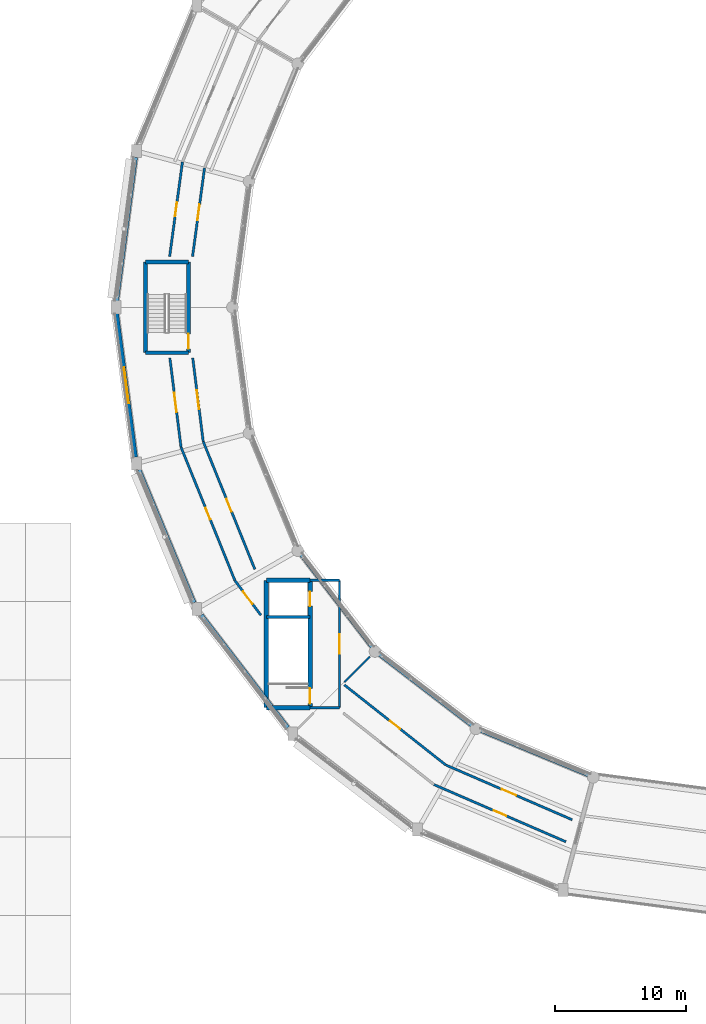
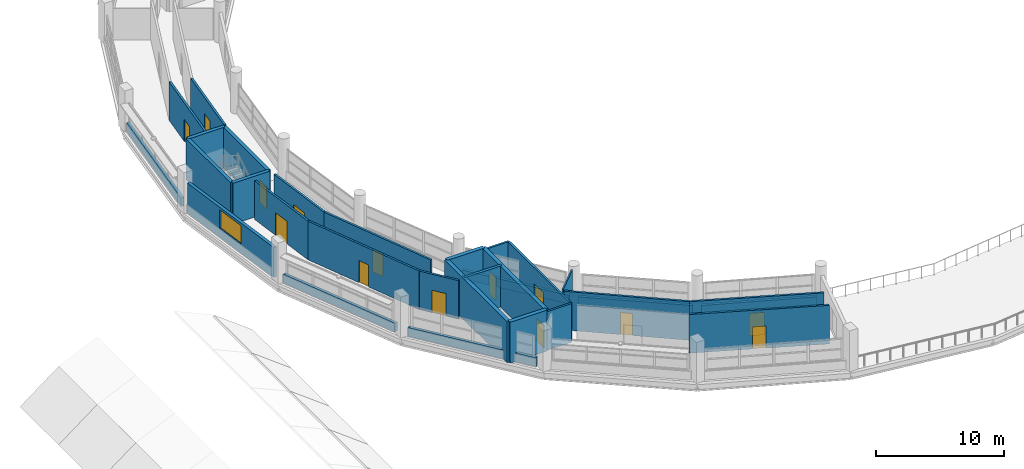
# One storey, part 45 of 53: 30 walls, 14 doors, 1 window, 15 openings.
"""IFC4 building model written with IfcOpenShell, lengths in metres."""

from ifc_helpers import new_model, si_unit, direction, frame, frame_2d, origin, place, context, subcontext, project, spatial, rectangle, extrude, material, layer, layer_set, type_object, element, fill, save


model = new_model("IFC4")

# Units and contexts
model_context = context("Model", 3, precision=1e-05, world=origin(), true_north=direction((0.0, 1.0)))
body_context = subcontext(model_context, "Body", "Model", "MODEL_VIEW")
ifc_project = project(units=[si_unit("LENGTHUNIT", "METRE"), si_unit("AREAUNIT", "SQUARE_METRE"), si_unit("VOLUMEUNIT", "CUBIC_METRE"), si_unit("PLANEANGLEUNIT", "RADIAN"), si_unit("MASSUNIT", "GRAM", prefix="KILO")], contexts=[model_context])

# Site, building, storey
site_placement = place(None, origin())
site = spatial("IfcSite", under=ifc_project, at=site_placement, CompositionType="ELEMENT")
building_placement = place(site_placement, origin())
building = spatial("IfcBuilding", under=site, at=building_placement, Name="Vespera Passage Community Centre", CompositionType="ELEMENT")
storey_placement = place(building_placement, frame((0.0, 0.0, 20.39990234375)))
storey = spatial("IfcBuildingStorey", under=building, at=storey_placement, Name="L05", CompositionType="ELEMENT", Elevation=20.39990234375)

# Wall, opening, door
ifc_material_1 = material(Name="Concrete f'c 45 MPa", Category="concrete")
ifc_layer_1 = layer(ifc_material_1, 0.300048828125)
ifc_layer_set_1 = layer_set([ifc_layer_1], Name="Concrete f'c 45 MPa")
wall_type_1 = type_object("IfcWallType", Name="WT-CORE-300I", PredefinedType="SHEAR", material=ifc_layer_set_1)
wall_1_placement = place(storey_placement, frame((37.449951171875, 68.97509765625, 0.0), z_axis=(0.0, 0.0, 1.0), x_axis=(0.0, -1.0, 0.0)))
wall_1 = element("IfcWall", 1, at=wall_1_placement, inside=storey, type_object=wall_type_1, Name="Core C2 L05 Shear Wall FRONT", PredefinedType="SHEAR", context=body_context, shape_type="SweptSolid", body=[
    extrude(rectangle(XDim=6.9501953125, YDim=0.300048828125, at=frame_2d((3.47509765625, 0.0))), origin(), (0.0, 0.0, 1.0), 3.900146484375),
])
opening_1_placement = place(wall_1_placement, frame((5.5048828125, 0.0, 0.0)))
opening_1 = element("IfcOpeningElement", 2, at=opening_1_placement, cuts=wall_1, Name="Opening DT-STAIR-90", PredefinedType="OPENING", context=body_context, shape_type="SweptSolid", body=[
    extrude(rectangle(XDim=1.14990234375, YDim=2.14990234375, at=frame_2d((0.574951171875, 1.074951171875))), frame((0.0, 0.159912109375, 0.0), z_axis=(0.0, -1.0, 0.0), x_axis=(1.0, 0.0, 0.0)), (0.0, 0.0, 1.0), 0.320068359375),
])
ifc_material_2 = material(Name="Painted hollow-metal acoustic door", Category="steel")
door_type_1 = type_object("IfcDoorType", Name="DT-STAIR-90", OperationType="NOTDEFINED", PredefinedType="DOOR", material=ifc_material_2)
door_1_placement = place(opening_1_placement, origin())
door_1 = element("IfcDoor", 3, at=door_1_placement, inside=storey, type_object=door_type_1, Name="Core C2 L05 Exit Stair Door D-070", OperationType="SINGLE_SWING_RIGHT", OverallHeight=2.14990234375, OverallWidth=1.14990234375, PredefinedType="DOOR", context=body_context, shape_type="SweptSolid", body=[
    extrude(rectangle(XDim=1.14990234375, YDim=2.14990234375, at=frame_2d((0.574951171875, 1.074951171875))), frame((0.0, 0.02490234375, 0.0), z_axis=(0.0, -1.0, 0.0), x_axis=(1.0, 0.0, 0.0)), (0.0, 0.0, 1.0), 0.050048828125),
])
fill(opening_1, door_1)

# Walls
wall_2_placement = place(storey_placement, frame((37.449951171875, 62.02490234375, 0.0), z_axis=(0.0, 0.0, 1.0), x_axis=(-1.0, 0.0, 0.0)))
element("IfcWall", 4, at=wall_2_placement, inside=storey, type_object=wall_type_1, Name="Core C2 L05 Shear Wall LEFT", PredefinedType="SHEAR", context=body_context, shape_type="SweptSolid", body=[
    extrude(rectangle(XDim=3.300048828125, YDim=0.300048828125, at=frame_2d((1.64990234375, 0.0))), origin(), (0.0, 0.0, 1.0), 3.900146484375),
])
wall_3_placement = place(storey_placement, frame((34.14990234375, 62.02490234375, 0.0), z_axis=(0.0, 0.0, 1.0), x_axis=(0.0, 1.0, 0.0)))
element("IfcWall", 5, at=wall_3_placement, inside=storey, type_object=wall_type_1, Name="Core C2 L05 Shear Wall BACK", PredefinedType="SHEAR", context=body_context, shape_type="SweptSolid", body=[
    extrude(rectangle(XDim=6.9501953125, YDim=0.300048828125, at=frame_2d((3.47509765625, 0.0))), origin(), (0.0, 0.0, 1.0), 3.900146484375),
])
wall_4_placement = place(storey_placement, frame((34.14990234375, 68.97509765625, 0.0), z_axis=(0.0, 0.0, 1.0), x_axis=(1.0, 0.0, 0.0)))
element("IfcWall", 6, at=wall_4_placement, inside=storey, type_object=wall_type_1, Name="Core C2 L05 Shear Wall RIGHT", PredefinedType="SHEAR", context=body_context, shape_type="SweptSolid", body=[
    extrude(rectangle(XDim=3.300048828125, YDim=0.300048828125, at=frame_2d((1.64990234375, 0.0))), origin(), (0.0, 0.0, 1.0), 3.900146484375),
])

# Wall, openings, doors
ifc_material_3 = material(Name="Concrete f'c 45 MPa", Category="concrete")
ifc_layer_2 = layer(ifc_material_3, 0.340087890625)
ifc_layer_set_2 = layer_set([ifc_layer_2], Name="Concrete f'c 45 MPa")
wall_type_2 = type_object("IfcWallType", Name="WT-CORE-340I", PredefinedType="SHEAR", material=ifc_layer_set_2)
wall_5_placement = place(storey_placement, frame((46.73095703125, 44.6298828125, 0.0), z_axis=(0.0, 0.0, 1.0), x_axis=(0.0, -1.0, 0.0)))
wall_5 = element("IfcWall", 7, at=wall_5_placement, inside=storey, type_object=wall_type_2, Name="Core C3 L05 Shear Wall FRONT", PredefinedType="SHEAR", context=body_context, shape_type="SweptSolid", body=[
    extrude(rectangle(XDim=9.72998046875, YDim=0.340087890625, at=frame_2d((4.864990234375, 0.0))), origin(), (0.0, 0.0, 1.0), 3.900146484375),
])
opening_2_placement = place(wall_5_placement, frame((8.264892578125, 0.0, 0.0)))
opening_2 = element("IfcOpeningElement", 8, at=opening_2_placement, cuts=wall_5, Name="Opening DT-STAIR-90", PredefinedType="OPENING", context=body_context, shape_type="SweptSolid", body=[
    extrude(rectangle(XDim=1.14990234375, YDim=2.14990234375, at=frame_2d((0.574951171875, 1.074951171875))), frame((0.0, 0.179931640625, 0.0), z_axis=(0.0, -1.0, 0.0), x_axis=(1.0, 0.0, 0.0)), (0.0, 0.0, 1.0), 0.360107421875),
])
opening_3_placement = place(wall_5_placement, frame((0.8701171875, 0.0, 0.0)))
opening_3 = element("IfcOpeningElement", 9, at=opening_3_placement, cuts=wall_5, Name="Opening DT-LIFT-110", PredefinedType="OPENING", context=body_context, shape_type="SweptSolid", body=[
    extrude(rectangle(XDim=1.10009765625, YDim=2.14990234375, at=frame_2d((0.550048828125, 1.074951171875))), frame((0.0, 0.179931640625, 0.0), z_axis=(0.0, -1.0, 0.0), x_axis=(1.0, 0.0, 0.0)), (0.0, 0.0, 1.0), 0.360107421875),
])
ifc_material_4 = material(Name="Painted hollow-metal acoustic door", Category="steel")
door_type_2 = type_object("IfcDoorType", Name="DT-LIFT-110", OperationType="NOTDEFINED", PredefinedType="DOOR", material=ifc_material_4)
door_2_placement = place(opening_3_placement, origin())
door_2 = element("IfcDoor", 10, at=door_2_placement, inside=storey, type_object=door_type_2, Name="Elevator EL-01 L05 Landing Door LD-015", OperationType="SLIDING_TO_LEFT", OverallHeight=2.14990234375, OverallWidth=1.10009765625, PredefinedType="DOOR", context=body_context, shape_type="SweptSolid", body=[
    extrude(rectangle(XDim=1.10009765625, YDim=2.14990234375, at=frame_2d((0.550048828125, 1.074951171875))), frame((0.0, 0.02490234375, 0.0), z_axis=(0.0, -1.0, 0.0), x_axis=(1.0, 0.0, 0.0)), (0.0, 0.0, 1.0), 0.050048828125),
])
fill(opening_3, door_2)
door_3_placement = place(opening_2_placement, origin())
door_3 = element("IfcDoor", 11, at=door_3_placement, inside=storey, type_object=door_type_1, Name="Core C3 L05 Exit Stair Door D-084", OperationType="SINGLE_SWING_RIGHT", OverallHeight=2.14990234375, OverallWidth=1.14990234375, PredefinedType="DOOR", context=body_context, shape_type="SweptSolid", body=[
    extrude(rectangle(XDim=1.14990234375, YDim=2.14990234375, at=frame_2d((0.574951171875, 1.074951171875))), frame((0.0, 0.02490234375, 0.0), z_axis=(0.0, -1.0, 0.0), x_axis=(1.0, 0.0, 0.0)), (0.0, 0.0, 1.0), 0.050048828125),
])
fill(opening_2, door_3)

# Walls
wall_6_placement = place(storey_placement, frame((46.73095703125, 34.89990234375, 0.0), z_axis=(0.0, 0.0, 1.0), x_axis=(-1.0, 0.0, 0.0)))
element("IfcWall", 12, at=wall_6_placement, inside=storey, type_object=wall_type_2, Name="Core C3 L05 Shear Wall LEFT", PredefinedType="SHEAR", context=body_context, shape_type="SweptSolid", body=[
    extrude(rectangle(XDim=3.33984375, YDim=0.340087890625, at=frame_2d((1.669921875, 0.0))), origin(), (0.0, 0.0, 1.0), 3.900146484375),
])
wall_7_placement = place(storey_placement, frame((43.39111328125, 34.89990234375, 0.0), z_axis=(0.0, 0.0, 1.0), x_axis=(0.0, 1.0, 0.0)))
element("IfcWall", 13, at=wall_7_placement, inside=storey, type_object=wall_type_2, Name="Core C3 L05 Shear Wall BACK", PredefinedType="SHEAR", context=body_context, shape_type="SweptSolid", body=[
    extrude(rectangle(XDim=9.72998046875, YDim=0.340087890625, at=frame_2d((4.864990234375, 0.0))), origin(), (0.0, 0.0, 1.0), 3.900146484375),
])
wall_8_placement = place(storey_placement, frame((43.39111328125, 44.6298828125, 0.0), z_axis=(0.0, 0.0, 1.0), x_axis=(1.0, 0.0, 0.0)))
element("IfcWall", 14, at=wall_8_placement, inside=storey, type_object=wall_type_2, Name="Core C3 L05 Shear Wall RIGHT", PredefinedType="SHEAR", context=body_context, shape_type="SweptSolid", body=[
    extrude(rectangle(XDim=3.33984375, YDim=0.340087890625, at=frame_2d((1.669921875, 0.0))), origin(), (0.0, 0.0, 1.0), 3.900146484375),
])

# Wall, opening, door
ifc_material_5 = material(Name="Gypsum board acoustic stud partition")
ifc_layer_3 = layer(ifc_material_5, 0.179931640625)
ifc_layer_set_3 = layer_set([ifc_layer_3], Name="Gypsum board acoustic stud partition")
wall_type_3 = type_object("IfcWallType", Name="WT-CORR-180I", PredefinedType="PARTITIONING", material=ifc_layer_set_3)
wall_9_placement = place(storey_placement, frame((48.98095703125, 34.89990234375, 0.0), z_axis=(0.0, 0.0, 1.0), x_axis=(0.0, 1.0, 0.0)))
wall_9 = element("IfcWall", 15, at=wall_9_placement, inside=storey, type_object=wall_type_3, Name="Core C3 L05 Lift Lobby Front Wall", PredefinedType="PARTITIONING", context=body_context, shape_type="SweptSolid", body=[
    extrude(rectangle(XDim=9.72998046875, YDim=0.179931640625, at=frame_2d((4.864990234375, 0.0))), origin(), (0.0, 0.0, 1.0), 3.675048828125),
])
opening_4_placement = place(wall_9_placement, frame((4.114990234375, 0.0, 0.0)))
opening_4 = element("IfcOpeningElement", 16, at=opening_4_placement, cuts=wall_9, Name="Opening DT-CORR-150", PredefinedType="OPENING", context=body_context, shape_type="SweptSolid", body=[
    extrude(rectangle(XDim=1.5, YDim=2.14990234375, at=frame_2d((0.75, 1.074951171875))), frame((0.0, 0.099853515625, 0.0), z_axis=(0.0, -1.0, 0.0), x_axis=(1.0, 0.0, 0.0)), (0.0, 0.0, 1.0), 0.199951171875),
])
ifc_material_6 = material(Name="Painted hollow-metal acoustic door", Category="steel")
door_type_3 = type_object("IfcDoorType", Name="DT-CORR-150", OperationType="NOTDEFINED", PredefinedType="DOOR", material=ifc_material_6)
door_4_placement = place(opening_4_placement, origin())
door_4 = element("IfcDoor", 17, at=door_4_placement, inside=storey, type_object=door_type_3, Name="Core C3 L05 Lift Lobby Door D-085", OperationType="SINGLE_SWING_LEFT", OverallHeight=2.14990234375, OverallWidth=1.5, PredefinedType="DOOR", context=body_context, shape_type="SweptSolid", body=[
    extrude(rectangle(XDim=1.5, YDim=2.14990234375, at=frame_2d((0.75, 1.074951171875))), frame((0.0, 0.02490234375, 0.0), z_axis=(0.0, -1.0, 0.0), x_axis=(1.0, 0.0, 0.0)), (0.0, 0.0, 1.0), 0.050048828125),
])
fill(opening_4, door_4)

# Walls
for number, where, z_axis, x_axis, name in (
    (18, (46.73095703125, 34.89990234375, 0.0), (0.0, 0.0, 1.0), (1.0, 0.0, 0.0), "Core C3 L05 Lift Lobby Side Wall L"),
    (19, (46.73095703125, 44.6298828125, 0.0), (0.0, 0.0, 1.0), (1.0, 0.0, 0.0), "Core C3 L05 Lift Lobby Side Wall R"),
):
    element("IfcWall", number, at=place(storey_placement, frame(where, z_axis=z_axis, x_axis=x_axis)), inside=storey, type_object=wall_type_3, Name=name, PredefinedType="PARTITIONING", context=body_context, shape_type="SweptSolid", body=[
        extrude(rectangle(XDim=2.25, YDim=0.179931640625, at=frame_2d((1.125, 0.0))), origin(), (0.0, 0.0, 1.0), 3.675048828125),
    ])

# Wall, opening, door
wall_10_placement = place(storey_placement, frame((36.9755859375, 76.60205078125, 0.0), z_axis=(0.0, 0.0, 1.0), x_axis=(-0.134237757742, -0.990949153285, 0.0)))
wall_10 = element("IfcWall", 20, at=wall_10_placement, inside=storey, type_object=wall_type_3, Name="L05 Interior Partition V4-L05-CO09.1", PredefinedType="PARTITIONING", context=body_context, shape_type="SweptSolid", body=[
    extrude(rectangle(XDim=7.29296875, YDim=0.179931640625, at=frame_2d((3.646484375, 0.0))), origin(), (0.0, 0.0, 1.0), 3.675048828125),
])
opening_5_placement = place(wall_10_placement, frame((3.12158203125, 0.0, 0.0)))
opening_5 = element("IfcOpeningElement", 21, at=opening_5_placement, cuts=wall_10, Name="Opening DT-CORR-105", PredefinedType="OPENING", context=body_context, shape_type="SweptSolid", body=[
    extrude(rectangle(XDim=1.050048828125, YDim=2.10009765625, at=frame_2d((0.52490234375, 1.050048828125))), frame((0.0, 0.099853515625, 0.0), z_axis=(0.0, -1.0, 0.0), x_axis=(1.0, 0.0, 0.0)), (0.0, 0.0, 1.0), 0.199951171875),
])
ifc_material_7 = material(Name="Painted hollow-metal acoustic door", Category="steel")
door_type_4 = type_object("IfcDoorType", Name="DT-CORR-105", OperationType="NOTDEFINED", PredefinedType="DOOR", material=ifc_material_7)
door_5_placement = place(opening_5_placement, origin())
door_5 = element("IfcDoor", 22, at=door_5_placement, inside=storey, type_object=door_type_4, Name="L05 Interior Door D-313", OperationType="SINGLE_SWING_LEFT", OverallHeight=2.10009765625, OverallWidth=1.050048828125, PredefinedType="DOOR", context=body_context, shape_type="SweptSolid", body=[
    extrude(rectangle(XDim=1.050048828125, YDim=2.10009765625, at=frame_2d((0.52490234375, 1.050048828125))), frame((0.0, 0.02490234375, 0.0), z_axis=(0.0, -1.0, 0.0), x_axis=(1.0, 0.0, 0.0)), (0.0, 0.0, 1.0), 0.050048828125),
])
fill(opening_5, door_5)

wall_11_placement = place(storey_placement, frame((38.664794921875, 76.14501953125, 0.0), z_axis=(0.0, 0.0, 1.0), x_axis=(-0.134223309436, -0.990951110401, 0.0)))
wall_11 = element("IfcWall", 23, at=wall_11_placement, inside=storey, type_object=wall_type_3, Name="L05 Interior Partition V4-L05-CI09.1", PredefinedType="PARTITIONING", context=body_context, shape_type="SweptSolid", body=[
    extrude(rectangle(XDim=6.831787109375, YDim=0.179931640625, at=frame_2d((3.416015625, 0.0))), origin(), (0.0, 0.0, 1.0), 3.675048828125),
])
opening_6_placement = place(wall_11_placement, frame((2.81591796875, 0.0, 0.0)))
opening_6 = element("IfcOpeningElement", 24, at=opening_6_placement, cuts=wall_11, Name="Opening DT-CORR-120", PredefinedType="OPENING", context=body_context, shape_type="SweptSolid", body=[
    extrude(rectangle(XDim=1.199951171875, YDim=2.14990234375, at=frame_2d((0.60009765625, 1.074951171875))), frame((0.0, 0.099853515625, 0.0), z_axis=(0.0, -1.0, 0.0), x_axis=(1.0, 0.0, 0.0)), (0.0, 0.0, 1.0), 0.199951171875),
])
ifc_material_8 = material(Name="Painted hollow-metal acoustic door", Category="steel")
door_type_5 = type_object("IfcDoorType", Name="DT-CORR-120", OperationType="NOTDEFINED", PredefinedType="DOOR", material=ifc_material_8)
door_6_placement = place(opening_6_placement, origin())
door_6 = element("IfcDoor", 25, at=door_6_placement, inside=storey, type_object=door_type_5, Name="L05 Interior Door D-314", OperationType="SINGLE_SWING_RIGHT", OverallHeight=2.14990234375, OverallWidth=1.199951171875, PredefinedType="DOOR", context=body_context, shape_type="SweptSolid", body=[
    extrude(rectangle(XDim=1.199951171875, YDim=2.14990234375, at=frame_2d((0.60009765625, 1.074951171875))), frame((0.0, 0.02490234375, 0.0), z_axis=(0.0, -1.0, 0.0), x_axis=(1.0, 0.0, 0.0)), (0.0, 0.0, 1.0), 0.050048828125),
])
fill(opening_6, door_6)

wall_12_placement = place(storey_placement, frame((36.0126953125, 61.625, 0.0), z_axis=(0.0, 0.0, 1.0), x_axis=(0.124332118041, -0.992240658522, 0.0)))
wall_12 = element("IfcWall", 26, at=wall_12_placement, inside=storey, type_object=wall_type_3, Name="L05 Interior Partition V4-L05-CO10.1", PredefinedType="PARTITIONING", context=body_context, shape_type="SweptSolid", body=[
    extrude(rectangle(XDim=6.87060546875, YDim=0.179931640625, at=frame_2d((3.435302734375, 0.0))), origin(), (0.0, 0.0, 1.0), 3.675048828125),
])
opening_7_placement = place(wall_12_placement, frame((2.685302734375, 0.0, 0.0)))
opening_7 = element("IfcOpeningElement", 27, at=opening_7_placement, cuts=wall_12, Name="Opening DT-CORR-150", PredefinedType="OPENING", context=body_context, shape_type="SweptSolid", body=[
    extrude(rectangle(XDim=1.5, YDim=2.14990234375, at=frame_2d((0.75, 1.074951171875))), frame((0.0, 0.099853515625, 0.0), z_axis=(0.0, -1.0, 0.0), x_axis=(1.0, 0.0, 0.0)), (0.0, 0.0, 1.0), 0.199951171875),
])
door_7_placement = place(opening_7_placement, origin())
door_7 = element("IfcDoor", 28, at=door_7_placement, inside=storey, type_object=door_type_3, Name="L05 Interior Door D-315", OperationType="SINGLE_SWING_LEFT", OverallHeight=2.14990234375, OverallWidth=1.5, PredefinedType="DOOR", context=body_context, shape_type="SweptSolid", body=[
    extrude(rectangle(XDim=1.5, YDim=2.14990234375, at=frame_2d((0.75, 1.074951171875))), frame((0.0, 0.02490234375, 0.0), z_axis=(0.0, -1.0, 0.0), x_axis=(1.0, 0.0, 0.0)), (0.0, 0.0, 1.0), 0.050048828125),
])
fill(opening_7, door_7)

wall_13_placement = place(storey_placement, frame((37.76171875, 61.625, 0.0), z_axis=(0.0, 0.0, 1.0), x_axis=(0.12432926931, -0.992241015476, 0.0)))
wall_13 = element("IfcWall", 29, at=wall_13_placement, inside=storey, type_object=wall_type_3, Name="L05 Interior Partition V4-L05-CI10.1", PredefinedType="PARTITIONING", context=body_context, shape_type="SweptSolid", body=[
    extrude(rectangle(XDim=6.427001953125, YDim=0.179931640625, at=frame_2d((3.21337890625, 0.0))), origin(), (0.0, 0.0, 1.0), 3.675048828125),
])
opening_8_placement = place(wall_13_placement, frame((2.488525390625, 0.0, 0.0)))
opening_8 = element("IfcOpeningElement", 30, at=opening_8_placement, cuts=wall_13, Name="Opening DT-PLANT-145", PredefinedType="OPENING", context=body_context, shape_type="SweptSolid", body=[
    extrude(rectangle(XDim=1.449951171875, YDim=2.199951171875, at=frame_2d((0.72509765625, 1.10009765625))), frame((0.0, 0.099853515625, 0.0), z_axis=(0.0, -1.0, 0.0), x_axis=(1.0, 0.0, 0.0)), (0.0, 0.0, 1.0), 0.199951171875),
])
ifc_material_9 = material(Name="Painted hollow-metal acoustic door", Category="steel")
door_type_6 = type_object("IfcDoorType", Name="DT-PLANT-145", OperationType="NOTDEFINED", PredefinedType="DOOR", material=ifc_material_9)
door_8_placement = place(opening_8_placement, origin())
door_8 = element("IfcDoor", 31, at=door_8_placement, inside=storey, type_object=door_type_6, Name="L05 Interior Door D-316", OperationType="SINGLE_SWING_RIGHT", OverallHeight=2.199951171875, OverallWidth=1.449951171875, PredefinedType="DOOR", context=body_context, shape_type="SweptSolid", body=[
    extrude(rectangle(XDim=1.449951171875, YDim=2.199951171875, at=frame_2d((0.72509765625, 1.10009765625))), frame((0.0, 0.02490234375, 0.0), z_axis=(0.0, -1.0, 0.0), x_axis=(1.0, 0.0, 0.0)), (0.0, 0.0, 1.0), 0.050048828125),
])
fill(opening_8, door_8)

wall_14_placement = place(storey_placement, frame((36.866943359375, 54.8076171875, 0.0), z_axis=(0.0, 0.0, 1.0), x_axis=(0.374617315666, -0.927179522424, 0.0)))
wall_14 = element("IfcWall", 32, at=wall_14_placement, inside=storey, type_object=wall_type_3, Name="L05 Interior Partition V4-L05-CO11.1", PredefinedType="PARTITIONING", context=body_context, shape_type="SweptSolid", body=[
    extrude(rectangle(XDim=10.98974609375, YDim=0.179931640625, at=frame_2d((5.494873046875, 0.0))), origin(), (0.0, 0.0, 1.0), 3.675048828125),
])
opening_9_placement = place(wall_14_placement, frame((5.02001953125, 0.0, 0.0)))
opening_9 = element("IfcOpeningElement", 33, at=opening_9_placement, cuts=wall_14, Name="Opening DT-CORR-95", PredefinedType="OPENING", context=body_context, shape_type="SweptSolid", body=[
    extrude(rectangle(XDim=0.949951171875, YDim=2.10009765625, at=frame_2d((0.47509765625, 1.050048828125))), frame((0.0, 0.099853515625, 0.0), z_axis=(0.0, -1.0, 0.0), x_axis=(1.0, 0.0, 0.0)), (0.0, 0.0, 1.0), 0.199951171875),
])
ifc_material_10 = material(Name="Painted hollow-metal acoustic door", Category="steel")
door_type_7 = type_object("IfcDoorType", Name="DT-CORR-95", OperationType="NOTDEFINED", PredefinedType="DOOR", material=ifc_material_10)
door_9_placement = place(opening_9_placement, origin())
door_9 = element("IfcDoor", 34, at=door_9_placement, inside=storey, type_object=door_type_7, Name="L05 Interior Door D-317", OperationType="SINGLE_SWING_LEFT", OverallHeight=2.10009765625, OverallWidth=0.949951171875, PredefinedType="DOOR", context=body_context, shape_type="SweptSolid", body=[
    extrude(rectangle(XDim=0.949951171875, YDim=2.10009765625, at=frame_2d((0.47509765625, 1.050048828125))), frame((0.0, 0.02490234375, 0.0), z_axis=(0.0, -1.0, 0.0), x_axis=(1.0, 0.0, 0.0)), (0.0, 0.0, 1.0), 0.050048828125),
])
fill(opening_9, door_9)

wall_15_placement = place(storey_placement, frame((38.560791015625, 55.247802734375, 0.0), z_axis=(0.0, 0.0, 1.0), x_axis=(0.37460823709, -0.927183190478, 0.0)))
wall_15 = element("IfcWall", 35, at=wall_15_placement, inside=storey, type_object=wall_type_3, Name="L05 Interior Partition V4-L05-CI11.1", PredefinedType="PARTITIONING", context=body_context, shape_type="SweptSolid", body=[
    extrude(rectangle(XDim=10.537109375, YDim=0.179931640625, at=frame_2d((5.2685546875, 0.0))), origin(), (0.0, 0.0, 1.0), 3.675048828125),
])
opening_10_placement = place(wall_15_placement, frame((4.743408203125, 0.0, 0.0)))
opening_10 = element("IfcOpeningElement", 36, at=opening_10_placement, cuts=wall_15, Name="Opening DT-CORR-105", PredefinedType="OPENING", context=body_context, shape_type="SweptSolid", body=[
    extrude(rectangle(XDim=1.050048828125, YDim=2.10009765625, at=frame_2d((0.52490234375, 1.050048828125))), frame((0.0, 0.099853515625, 0.0), z_axis=(0.0, -1.0, 0.0), x_axis=(1.0, 0.0, 0.0)), (0.0, 0.0, 1.0), 0.199951171875),
])
door_10_placement = place(opening_10_placement, origin())
door_10 = element("IfcDoor", 37, at=door_10_placement, inside=storey, type_object=door_type_4, Name="L05 Interior Door D-318", OperationType="SINGLE_SWING_RIGHT", OverallHeight=2.10009765625, OverallWidth=1.050048828125, PredefinedType="DOOR", context=body_context, shape_type="SweptSolid", body=[
    extrude(rectangle(XDim=1.050048828125, YDim=2.10009765625, at=frame_2d((0.52490234375, 1.050048828125))), frame((0.0, 0.02490234375, 0.0), z_axis=(0.0, -1.0, 0.0), x_axis=(1.0, 0.0, 0.0)), (0.0, 0.0, 1.0), 0.050048828125),
])
fill(opening_10, door_10)

wall_16_placement = place(storey_placement, frame((40.98388671875, 44.6181640625, 0.0), z_axis=(0.0, 0.0, 1.0), x_axis=(0.599787742898, -0.800159148838, 0.0)))
wall_16 = element("IfcWall", 38, at=wall_16_placement, inside=storey, type_object=wall_type_3, Name="L05 Interior Partition V4-L05-CO12.1", PredefinedType="PARTITIONING", context=body_context, shape_type="SweptSolid", body=[
    extrude(rectangle(XDim=3.31298828125, YDim=0.179931640625, at=frame_2d((1.656494140625, 0.0))), origin(), (0.0, 0.0, 1.0), 3.675048828125),
])
opening_11_placement = place(wall_16_placement, frame((1.056396484375, 0.0, 0.0)))
opening_11 = element("IfcOpeningElement", 39, at=opening_11_placement, cuts=wall_16, Name="Opening DT-CORR-120", PredefinedType="OPENING", context=body_context, shape_type="SweptSolid", body=[
    extrude(rectangle(XDim=1.199951171875, YDim=2.14990234375, at=frame_2d((0.60009765625, 1.074951171875))), frame((0.0, 0.099853515625, 0.0), z_axis=(0.0, -1.0, 0.0), x_axis=(1.0, 0.0, 0.0)), (0.0, 0.0, 1.0), 0.199951171875),
])
door_11_placement = place(opening_11_placement, origin())
door_11 = element("IfcDoor", 40, at=door_11_placement, inside=storey, type_object=door_type_5, Name="L05 Interior Door D-319", OperationType="SINGLE_SWING_LEFT", OverallHeight=2.14990234375, OverallWidth=1.199951171875, PredefinedType="DOOR", context=body_context, shape_type="SweptSolid", body=[
    extrude(rectangle(XDim=1.199951171875, YDim=2.14990234375, at=frame_2d((0.60009765625, 1.074951171875))), frame((0.0, 0.02490234375, 0.0), z_axis=(0.0, -1.0, 0.0), x_axis=(1.0, 0.0, 0.0)), (0.0, 0.0, 1.0), 0.050048828125),
])
fill(opening_11, door_11)

wall_17_placement = place(storey_placement, frame((49.35107421875, 36.63427734375, 0.0), z_axis=(0.0, 0.0, 1.0), x_axis=(0.784937207897, -0.619575322022, 0.0)))
wall_17 = element("IfcWall", 41, at=wall_17_placement, inside=storey, type_object=wall_type_3, Name="L05 Interior Partition V4-L05-CI13.1", PredefinedType="PARTITIONING", context=body_context, shape_type="SweptSolid", body=[
    extrude(rectangle(XDim=9.871337890625, YDim=0.179931640625, at=frame_2d((4.935546875, 0.0))), origin(), (0.0, 0.0, 1.0), 3.675048828125),
])
opening_12_placement = place(wall_17_placement, frame((4.460693359375, 0.0, 0.0)))
opening_12 = element("IfcOpeningElement", 42, at=opening_12_placement, cuts=wall_17, Name="Opening DT-CORR-95", PredefinedType="OPENING", context=body_context, shape_type="SweptSolid", body=[
    extrude(rectangle(XDim=0.949951171875, YDim=2.10009765625, at=frame_2d((0.47509765625, 1.050048828125))), frame((0.0, 0.099853515625, 0.0), z_axis=(0.0, -1.0, 0.0), x_axis=(1.0, 0.0, 0.0)), (0.0, 0.0, 1.0), 0.199951171875),
])
door_12_placement = place(opening_12_placement, origin())
door_12 = element("IfcDoor", 43, at=door_12_placement, inside=storey, type_object=door_type_7, Name="L05 Interior Door D-321", OperationType="SINGLE_SWING_LEFT", OverallHeight=2.10009765625, OverallWidth=0.949951171875, PredefinedType="DOOR", context=body_context, shape_type="SweptSolid", body=[
    extrude(rectangle(XDim=0.949951171875, YDim=2.10009765625, at=frame_2d((0.47509765625, 1.050048828125))), frame((0.0, 0.02490234375, 0.0), z_axis=(0.0, -1.0, 0.0), x_axis=(1.0, 0.0, 0.0)), (0.0, 0.0, 1.0), 0.050048828125),
])
fill(opening_12, door_12)

wall_18_placement = place(storey_placement, frame((56.201904296875, 29.015869140625, 0.0), z_axis=(0.0, 0.0, 1.0), x_axis=(0.917559947895, -0.397597462289, 0.0)))
wall_18 = element("IfcWall", 44, at=wall_18_placement, inside=storey, type_object=wall_type_3, Name="L05 Interior Partition V4-L05-CO14.1", PredefinedType="PARTITIONING", context=body_context, shape_type="SweptSolid", body=[
    extrude(rectangle(XDim=10.989501953125, YDim=0.179931640625, at=frame_2d((5.49462890625, 0.0))), origin(), (0.0, 0.0, 1.0), 3.675048828125),
])
opening_13_placement = place(wall_18_placement, frame((4.9697265625, 0.0, 0.0)))
opening_13 = element("IfcOpeningElement", 45, at=opening_13_placement, cuts=wall_18, Name="Opening DT-CORR-105", PredefinedType="OPENING", context=body_context, shape_type="SweptSolid", body=[
    extrude(rectangle(XDim=1.050048828125, YDim=2.10009765625, at=frame_2d((0.52490234375, 1.050048828125))), frame((0.0, 0.099853515625, 0.0), z_axis=(0.0, -1.0, 0.0), x_axis=(1.0, 0.0, 0.0)), (0.0, 0.0, 1.0), 0.199951171875),
])
door_13_placement = place(opening_13_placement, origin())
door_13 = element("IfcDoor", 46, at=door_13_placement, inside=storey, type_object=door_type_4, Name="L05 Interior Door D-322", OperationType="SINGLE_SWING_RIGHT", OverallHeight=2.10009765625, OverallWidth=1.050048828125, PredefinedType="DOOR", context=body_context, shape_type="SweptSolid", body=[
    extrude(rectangle(XDim=1.050048828125, YDim=2.10009765625, at=frame_2d((0.52490234375, 1.050048828125))), frame((0.0, 0.02490234375, 0.0), z_axis=(0.0, -1.0, 0.0), x_axis=(1.0, 0.0, 0.0)), (0.0, 0.0, 1.0), 0.050048828125),
])
fill(opening_13, door_13)

wall_19_placement = place(storey_placement, frame((57.099365234375, 30.518310546875, 0.0), z_axis=(0.0, 0.0, 1.0), x_axis=(0.917554498263, -0.397610038501, 0.0)))
wall_19 = element("IfcWall", 47, at=wall_19_placement, inside=storey, type_object=wall_type_3, Name="L05 Interior Partition V4-L05-CI14.1", PredefinedType="PARTITIONING", context=body_context, shape_type="SweptSolid", body=[
    extrude(rectangle(XDim=10.537109375, YDim=0.179931640625, at=frame_2d((5.2685546875, 0.0))), origin(), (0.0, 0.0, 1.0), 3.675048828125),
])
opening_14_placement = place(wall_19_placement, frame((4.668701171875, 0.0, 0.0)))
opening_14 = element("IfcOpeningElement", 48, at=opening_14_placement, cuts=wall_19, Name="Opening DT-CORR-120", PredefinedType="OPENING", context=body_context, shape_type="SweptSolid", body=[
    extrude(rectangle(XDim=1.199951171875, YDim=2.14990234375, at=frame_2d((0.60009765625, 1.074951171875))), frame((0.0, 0.099853515625, 0.0), z_axis=(0.0, -1.0, 0.0), x_axis=(1.0, 0.0, 0.0)), (0.0, 0.0, 1.0), 0.199951171875),
])
door_14_placement = place(opening_14_placement, origin())
door_14 = element("IfcDoor", 49, at=door_14_placement, inside=storey, type_object=door_type_5, Name="L05 Interior Door D-323", OperationType="SINGLE_SWING_LEFT", OverallHeight=2.14990234375, OverallWidth=1.199951171875, PredefinedType="DOOR", context=body_context, shape_type="SweptSolid", body=[
    extrude(rectangle(XDim=1.199951171875, YDim=2.14990234375, at=frame_2d((0.60009765625, 1.074951171875))), frame((0.0, 0.02490234375, 0.0), z_axis=(0.0, -1.0, 0.0), x_axis=(1.0, 0.0, 0.0)), (0.0, 0.0, 1.0), 0.050048828125),
])
fill(opening_14, door_14)

# Walls
ifc_material_11 = material(Name="Concrete f'c 45 MPa", Category="concrete")
ifc_layer_4 = layer(ifc_material_11, 0.239990234375)
ifc_layer_set_4 = layer_set([ifc_layer_4], Name="Concrete f'c 45 MPa")
wall_type_4 = type_object("IfcWallType", Name="WT-DIV-240I", PredefinedType="SHEAR", material=ifc_layer_set_4)
wall_20_placement = place(storey_placement, frame((46.73095703125, 41.840087890625, 0.0), z_axis=(0.0, 0.0, 1.0), x_axis=(-1.0, 0.0, 0.0)))
element("IfcWall", 50, at=wall_20_placement, inside=storey, type_object=wall_type_4, Name="Core C3 L05 Hoistway Divider Wall", PredefinedType="SHEAR", context=body_context, shape_type="SweptSolid", body=[
    extrude(rectangle(XDim=3.33984375, YDim=0.239990234375, at=frame_2d((1.669921875, 0.0))), origin(), (0.0, 0.0, 1.0), 3.900146484375),
])
ifc_material_12 = material(Name="Precast concrete f'c 40 MPa", Category="concrete")
ifc_layer_5 = layer(ifc_material_12, 0.25)
ifc_layer_set_5 = layer_set([ifc_layer_5], Name="Precast concrete f'c 40 MPa")
wall_type_5 = type_object("IfcWallType", Name="WT-EXT-250E", PredefinedType="STANDARD", material=ifc_layer_set_5)
for number, where, z_axis, x_axis, name in (
    (51, (45.998779296875, 46.619873046875, 0.0), (0.0, 0.0, 1.0), (0.608769580289, -0.793347085527, 0.0), "V4 L05 Court Spandrel Wall I14"),
    (52, (51.975830078125, 38.980712890625, 0.0), (0.0, 0.0, 1.0), (0.793347085527, -0.608769580289, 0.0), "V4 L05 Court Spandrel Wall I15"),
):
    element("IfcWall", number, at=place(storey_placement, frame(where, z_axis=z_axis, x_axis=x_axis)), inside=storey, type_object=wall_type_5, Name=name, PredefinedType="STANDARD", context=body_context, shape_type="SweptSolid", body=[
        extrude(rectangle(XDim=9.0048828125, YDim=0.25, at=frame_2d((4.50244140625, 0.0))), origin(), (0.0, 0.0, 1.0), 0.820068359375),
    ])
wall_21_placement = place(storey_placement, frame((59.677001953125, 33.169189453125, 0.0), z_axis=(0.0, 0.0, 1.0), x_axis=(0.923880324771, -0.382681519675, 0.0)))
element("IfcWall", 53, at=wall_21_placement, inside=storey, type_object=wall_type_5, Name="V4 L05 Court Spandrel Wall I16", PredefinedType="STANDARD", context=body_context, shape_type="SweptSolid", body=[
    extrude(rectangle(XDim=9.111572265625, YDim=0.25, at=frame_2d((4.5556640625, 0.0))), origin(), (0.0, 0.0, 1.0), 0.820068359375),
])
ifc_material_13 = material(Name="Precast concrete f'c 40 MPa", Category="concrete")
ifc_layer_6 = layer(ifc_material_13, 0.280029296875)
ifc_layer_set_6 = layer_set([ifc_layer_6], Name="Precast concrete f'c 40 MPa")
wall_type_6 = type_object("IfcWallType", Name="WT-EXT-280E", PredefinedType="STANDARD", material=ifc_layer_set_6)
wall_22_placement = place(storey_placement, frame((31.962646484375, 65.97509765625, 0.0), z_axis=(0.0, 0.0, 1.0), x_axis=(0.130513242145, 0.991446566197, 0.0)))
element("IfcWall", 54, at=wall_22_placement, inside=storey, type_object=wall_type_6, Name="V4 L05 Spandrel Wall O11", PredefinedType="STANDARD", context=body_context, shape_type="SweptSolid", body=[
    extrude(rectangle(XDim=11.075927734375, YDim=0.280029296875, at=frame_2d((5.5380859375, 0.0))), origin(), (0.0, 0.0, 1.0), 0.820068359375),
])

# Wall, opening, window
wall_23_placement = place(storey_placement, frame((33.408203125, 54.043701171875, 0.0), z_axis=(0.0, 0.0, 1.0), x_axis=(-0.130513242145, 0.991446566197, 0.0)))
wall_23 = element("IfcWall", 55, at=wall_23_placement, inside=storey, type_object=wall_type_6, Name="V4 L05 Outer Precast Wall 12", PredefinedType="STANDARD", context=body_context, shape_type="SweptSolid", body=[
    extrude(rectangle(XDim=11.075927734375, YDim=0.280029296875, at=frame_2d((5.5380859375, 0.0))), origin(), (0.0, 0.0, 1.0), 2.845703125),
])
opening_15_placement = place(wall_23_placement, frame((4.1630859375, 0.0, 0.85009765625)))
opening_15 = element("IfcOpeningElement", 56, at=opening_15_placement, cuts=wall_23, Name="Opening WN-25E", PredefinedType="OPENING", context=body_context, shape_type="SweptSolid", body=[
    extrude(rectangle(XDim=2.75, YDim=1.75, at=frame_2d((1.375, 0.875))), frame((0.0, 0.150146484375, 0.0), z_axis=(0.0, -1.0, 0.0), x_axis=(1.0, 0.0, 0.0)), (0.0, 0.0, 1.0), 0.300048828125),
])
ifc_material_14 = material(Name="Low-E insulated vision glass", Category="glass")
window_type = type_object("IfcWindowType", Name="WN-25E", PartitioningType="SINGLE_PANEL", PredefinedType="WINDOW", material=ifc_material_14)
window_placement = place(opening_15_placement, origin())
window = element("IfcWindow", 57, at=window_placement, inside=storey, type_object=window_type, Name="Window WN-V4-L05-O12", OverallHeight=1.75, OverallWidth=2.75, PartitioningType="SINGLE_PANEL", PredefinedType="WINDOW", context=body_context, shape_type="SweptSolid", body=[
    extrude(rectangle(XDim=2.75, YDim=1.75, at=frame_2d((1.375, 0.875))), frame((0.0, 0.030029296875, 0.0), z_axis=(0.0, -1.0, 0.0), x_axis=(1.0, 0.0, 0.0)), (0.0, 0.0, 1.0), 0.06005859375),
])
fill(opening_15, window)

# Walls
wall_24_placement = place(storey_placement, frame((37.878662109375, 42.927001953125, 0.0), z_axis=(0.0, 0.0, 1.0), x_axis=(-0.382695413149, 0.923874569817, 0.0)))
element("IfcWall", 58, at=wall_24_placement, inside=storey, type_object=wall_type_6, Name="V4 L05 Spandrel Wall O13", PredefinedType="STANDARD", context=body_context, shape_type="SweptSolid", body=[
    extrude(rectangle(XDim=11.002197265625, YDim=0.280029296875, at=frame_2d((5.5009765625, 0.0))), origin(), (0.0, 0.0, 1.0), 0.820068359375),
])
wall_25_placement = place(storey_placement, frame((45.04248046875, 33.371337890625, 0.0), z_axis=(0.0, 0.0, 1.0), x_axis=(-0.608753590889, 0.79335935463, 0.0)))
element("IfcWall", 59, at=wall_25_placement, inside=storey, type_object=wall_type_6, Name="V4 L05 Spandrel Wall O14", PredefinedType="STANDARD", context=body_context, shape_type="SweptSolid", body=[
    extrude(rectangle(XDim=10.852294921875, YDim=0.280029296875, at=frame_2d((5.42626953125, 0.0))), origin(), (0.0, 0.0, 1.0), 0.820068359375),
])
ifc_material_15 = material(Name="Moisture-resistant gypsum stud partition")
ifc_layer_7 = layer(ifc_material_15, 0.1201171875)
ifc_layer_set_7 = layer_set([ifc_layer_7], Name="Moisture-resistant gypsum stud partition")
wall_type_7 = type_object("IfcWallType", Name="WT-WET-120I", PredefinedType="PARTITIONING", material=ifc_layer_set_7)
wall_26_placement = place(storey_placement, frame((51.306640625, 38.806640625, 0.0), z_axis=(0.0, 0.0, 1.0), x_axis=(-0.707106781187, -0.707106781187, 0.0)))
element("IfcWall", 60, at=wall_26_placement, inside=storey, type_object=wall_type_7, Name="L05 Interior Partition V4-L05-RI14-5.1", PredefinedType="PARTITIONING", context=body_context, shape_type="SweptSolid", body=[
    extrude(rectangle(XDim=2.765625, YDim=0.1201171875, at=frame_2d((1.3828125, 0.0))), origin(), (0.0, 0.0, 1.0), 3.675048828125),
])

save(model, "model.ifc")
